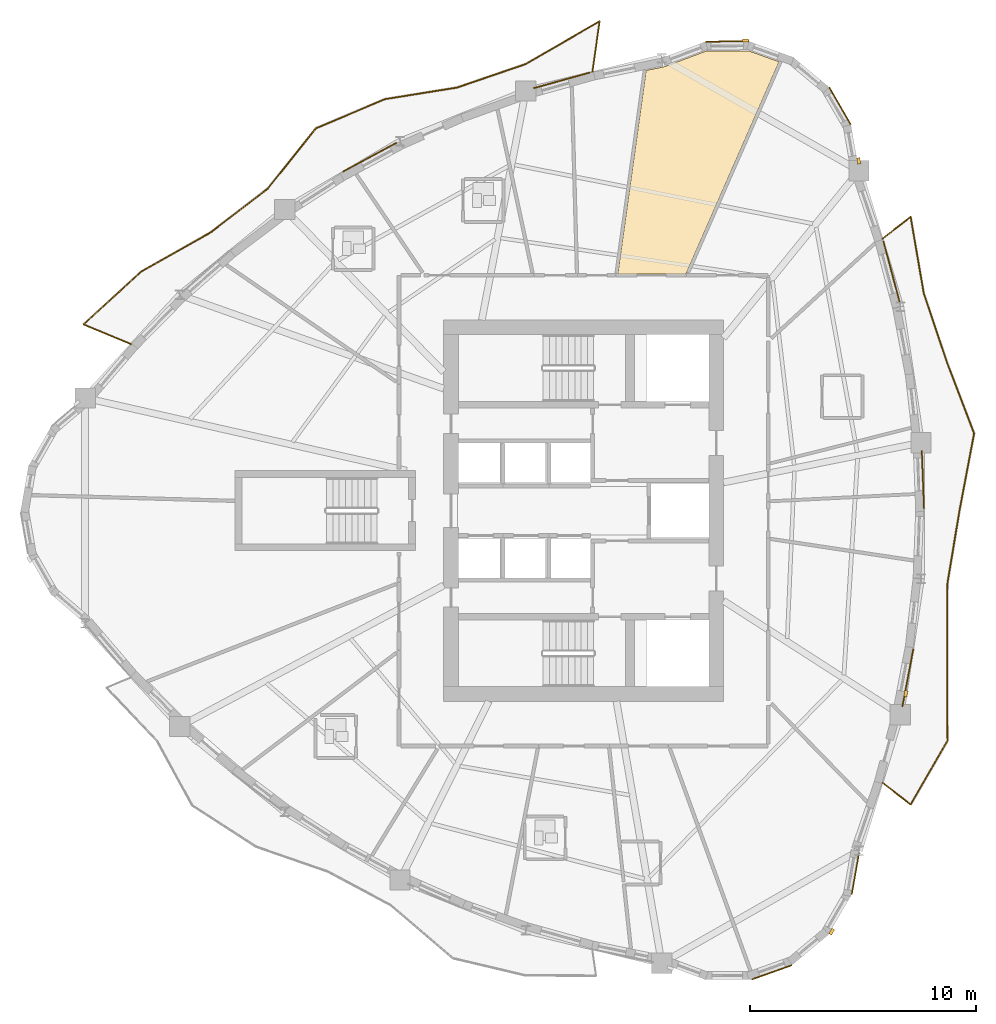
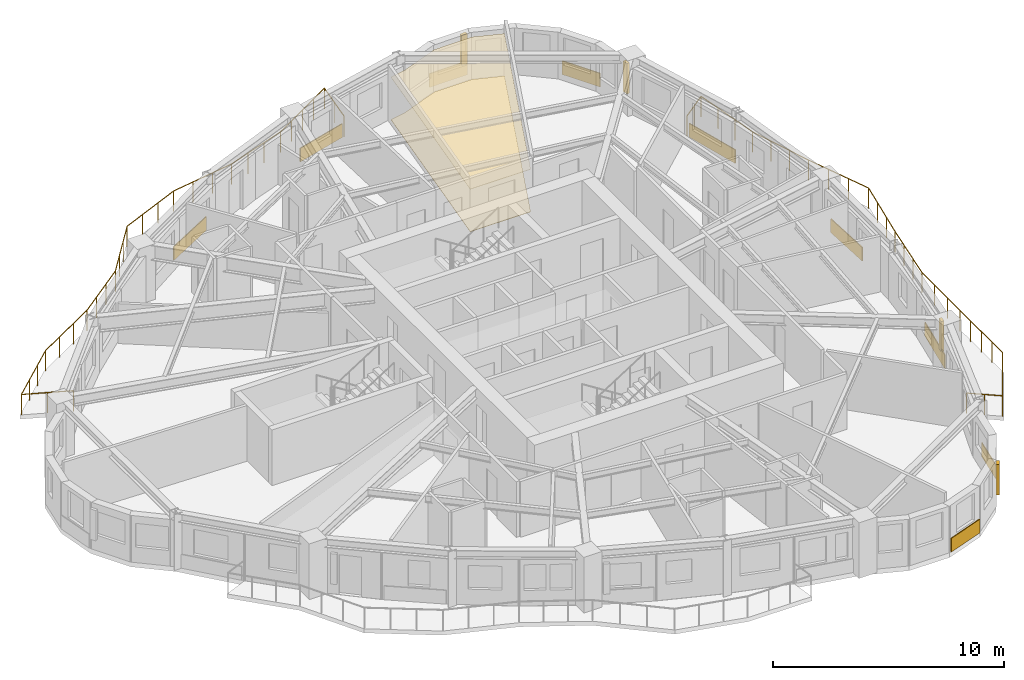
# One storey, part 11 of 12: 11 coverings, 4 shading devices, 2 railings.
"""IFC4 building model written with IfcOpenShell, lengths in metres."""

import ifcopenshell
import ifcopenshell.guid

model = None  # the IFC model being written
_history = None  # IfcOwnerHistory: only IFC2X3 demands one
_inside = {}  # id of a spatial element -> (the spatial element, [elements in it])
_under = {}  # id of a project, library or spatial element -> (it, [spatial elements below it])
_declared = {}  # id of a project -> (the project, [libraries it declares])
_typed = {}  # id of a type object -> (the type object, [elements of that type])
_made_of = {}  # id of a material, layer set ... -> (it, [elements and type objects made of it])


def new_model(schema):
    """Start an empty IFC model of exactly this schema.

    Asked for "IFC4X3", IfcOpenShell would pick the latest addendum, in which some entities
    have other attributes; the version numbers below select the first issue.
    IFC2X3 requires an IfcOwnerHistory on every rooted entity: one is made here for all.
    """
    global model, _history
    if schema == "IFC4X3":
        model = ifcopenshell.file(schema_version=(4, 3, 0, 0))
    else:
        model = ifcopenshell.file(schema=schema)
    _inside.clear()
    _under.clear()
    _declared.clear()
    _typed.clear()
    _made_of.clear()
    _history = None
    if model.schema == "IFC2X3":
        org = make("IfcOrganization", Name="unknown")
        user = make(
            "IfcPersonAndOrganization",
            ThePerson=make("IfcPerson", FamilyName="unknown"),
            TheOrganization=org,
        )
        app = make(
            "IfcApplication",
            ApplicationDeveloper=org,
            Version="unknown",
            ApplicationFullName="unknown",
            ApplicationIdentifier="unknown",
        )
        _history = make(
            "IfcOwnerHistory",
            OwningUser=user,
            OwningApplication=app,
            ChangeAction="ADDED",
            CreationDate=0,
        )
    return model


def make(cls, **values):
    """One entity of the class cls with the attributes given. An attribute that is None is left unset."""
    return model.create_entity(
        cls, **{name: value for name, value in values.items() if value is not None}
    )


def rooted(cls, **values):
    """An entity with a GlobalId (a new one), such as an element, a storey or a relation."""
    return make(cls, GlobalId=ifcopenshell.guid.new(), OwnerHistory=_history, **values)


def si_unit(unit_type, name, prefix=None):
    """IfcSIUnit, for example si_unit("LENGTHUNIT", "METRE", prefix="MILLI")."""
    return make("IfcSIUnit", UnitType=unit_type, Prefix=prefix, Name=name)


def assignment(units):
    """IfcUnitAssignment: the units of a project."""
    return None if units is None else make("IfcUnitAssignment", Units=units)


def point(xyz):
    """IfcCartesianPoint."""
    return None if xyz is None else make("IfcCartesianPoint", Coordinates=xyz)


def direction(xyz):
    """IfcDirection."""
    return None if xyz is None else make("IfcDirection", DirectionRatios=xyz)


def frame(location, z_axis=None, x_axis=None):
    """IfcAxis2Placement3D, a coordinate frame: its origin and axes. An axis left out is left unset."""
    return make(
        "IfcAxis2Placement3D",
        Location=point(location),
        Axis=direction(z_axis),
        RefDirection=direction(x_axis),
    )


def frame_2d(location, x_axis=None):
    """IfcAxis2Placement2D, a coordinate frame in the plane: its origin and x axis."""
    return make(
        "IfcAxis2Placement2D", Location=point(location), RefDirection=direction(x_axis)
    )


def origin():
    """The frame at (0, 0, 0) with its axes left unset."""
    return frame((0.0, 0.0, 0.0))


def origin_2d():
    """The frame at (0, 0) in the plane with its x axis left unset."""
    return frame_2d((0.0, 0.0))


def place(relative_to, where):
    """IfcLocalPlacement: puts the frame where relative to a parent placement (None: the world)."""
    return make(
        "IfcLocalPlacement", PlacementRelTo=relative_to, RelativePlacement=where
    )


def context(
    kind, dimensions, precision=None, world=None, true_north=None, identifier=None
):
    """IfcGeometricRepresentationContext, for example the 3D "Model" context."""
    return make(
        "IfcGeometricRepresentationContext",
        ContextIdentifier=identifier,
        ContextType=kind,
        CoordinateSpaceDimension=dimensions,
        Precision=precision,
        WorldCoordinateSystem=world,
        TrueNorth=true_north,
    )


def subcontext(parent, identifier, kind, view, scale=None):
    """IfcGeometricRepresentationSubContext, for example "Body" below "Model"."""
    return make(
        "IfcGeometricRepresentationSubContext",
        ContextIdentifier=identifier,
        ContextType=kind,
        ParentContext=parent,
        TargetScale=scale,
        TargetView=view,
    )


def project(units=None, contexts=None):
    """IfcProject with its units and contexts."""
    return rooted(
        "IfcProject",
        Name="project",
        RepresentationContexts=contexts,
        UnitsInContext=assignment(units),
    )


def spatial(cls, under=None, at=None, **own):
    """A site, building, storey or space (cls), placed at a placement, below another one or the project."""
    s = rooted(cls, ObjectPlacement=at, **own)
    if under is not None:
        _under.setdefault(under.id(), (under, []))[1].append(s)
    return s


def polyline(points):
    """IfcPolyline through the points."""
    return make("IfcPolyline", Points=[point(p) for p in points])


def profile(cls, at=None, kind="AREA", **sizes):
    """A parametric profile (cls). Its sizes go by their IFC names, for example OverallWidth=200.0."""
    return make(cls, ProfileType=kind, Position=at, **sizes)


def rectangle(**sizes):
    """IfcRectangleProfileDef."""
    return profile("IfcRectangleProfileDef", **sizes)


def circle(**sizes):
    """IfcCircleProfileDef."""
    return profile("IfcCircleProfileDef", **sizes)


def outline(outer, holes=None, kind="AREA"):
    """IfcArbitraryClosedProfileDef: a profile drawn as a closed curve; with holes, ...WithVoids."""
    if holes is None:
        return make("IfcArbitraryClosedProfileDef", ProfileType=kind, OuterCurve=outer)
    return make(
        "IfcArbitraryProfileDefWithVoids",
        ProfileType=kind,
        OuterCurve=outer,
        InnerCurves=holes,
    )


def extrude(swept, where, along, depth):
    """IfcExtrudedAreaSolid: the profile swept, set in the frame where, extruded along a direction by depth."""
    return make(
        "IfcExtrudedAreaSolid",
        SweptArea=swept,
        Position=where,
        ExtrudedDirection=direction(along),
        Depth=depth,
    )


def shape(context_of_items, identifier, shape_type, items):
    """IfcShapeRepresentation: the items that make up one representation, for example the "Body"."""
    return make(
        "IfcShapeRepresentation",
        ContextOfItems=context_of_items,
        RepresentationIdentifier=identifier,
        RepresentationType=shape_type,
        Items=items,
    )


def source(mapping_origin, context_of_items, identifier, shape_type, items):
    """IfcRepresentationMap: a shape defined once, which mapped items show again and again."""
    return make(
        "IfcRepresentationMap",
        MappingOrigin=mapping_origin,
        MappedRepresentation=shape(context_of_items, identifier, shape_type, items),
    )


def transform(
    local_origin,
    x_axis=None,
    y_axis=None,
    z_axis=None,
    scale=None,
    scale2=None,
    scale3=None,
    uniform=True,
):
    """IfcCartesianTransformationOperator3D, or its non-uniform kind. x_axis, y_axis, z_axis: its Axis1, 2, 3."""
    if uniform:
        return make(
            "IfcCartesianTransformationOperator3D",
            Axis1=direction(x_axis),
            Axis2=direction(y_axis),
            LocalOrigin=point(local_origin),
            Scale=scale,
            Axis3=direction(z_axis),
        )
    return make(
        "IfcCartesianTransformationOperator3DnonUniform",
        Axis1=direction(x_axis),
        Axis2=direction(y_axis),
        LocalOrigin=point(local_origin),
        Scale=scale,
        Axis3=direction(z_axis),
        Scale2=scale2,
        Scale3=scale3,
    )


def mapped(mapping_source, mapping_target):
    """IfcMappedItem: shows the shape of a source again, moved by a transform."""
    return make(
        "IfcMappedItem", MappingSource=mapping_source, MappingTarget=mapping_target
    )


def material(Name=None, Category=None):
    """IfcMaterial."""
    return make("IfcMaterial", Name=Name, Category=Category)


def layer(
    of_material, thickness, ventilated=None, Name=None, Category=None, Priority=None
):
    """IfcMaterialLayer: one layer of a wall or slab, of a material (None: an air gap)."""
    return make(
        "IfcMaterialLayer",
        Material=of_material,
        LayerThickness=thickness,
        IsVentilated=ventilated,
        Name=Name,
        Category=Category,
        Priority=Priority,
    )


def layer_set(layers, Name=None):
    """IfcMaterialLayerSet."""
    return make("IfcMaterialLayerSet", MaterialLayers=layers, LayerSetName=Name)


def made_of(thing, what):
    """Note that an element or type object is made of a material, layer set ...; save() writes the relation."""
    if what is not None:
        _made_of.setdefault(what.id(), (what, []))[1].append(thing)
    return thing


def type_object(cls, material=None, **own):
    """A type object (cls), such as IfcWallType, which elements share."""
    return made_of(rooted(cls, **own), material)


def element(
    cls,
    number,
    at=None,
    inside=None,
    cuts=None,
    type_object=None,
    material=None,
    context=None,
    identifier="Body",
    shape_type=None,
    held_by="IfcProductDefinitionShape",
    body=None,
    shapes=None,
    **own,
):
    """One element of the class cls, such as IfcWall. Its Tag is "e" and its number.

    at: its placement. inside: the storey or other place that contains it. cuts: it is an
    opening in that element (IfcRelVoidsElement). A single representation is given by context,
    identifier, shape_type and body (its items); several are given by shapes. held_by: the class
    of the entity that holds the representations. save() writes the other relations.
    """
    e = rooted(cls, Tag="e%d" % number, ObjectPlacement=at, **own)
    if body is not None:
        shapes = [shape(context, identifier, shape_type, body)]
    if shapes is not None:
        e.Representation = make(held_by, Representations=shapes)
    if inside is not None:
        _inside.setdefault(inside.id(), (inside, []))[1].append(e)
    if cuts is not None:
        rooted(
            "IfcRelVoidsElement", RelatingBuildingElement=cuts, RelatedOpeningElement=e
        )
    if type_object is not None:
        _typed.setdefault(type_object.id(), (type_object, []))[1].append(e)
    return made_of(e, material)


def aggregate(whole, parts):
    """IfcRelAggregates: a whole, such as a stair, and the parts it consists of."""
    return rooted("IfcRelAggregates", RelatingObject=whole, RelatedObjects=parts)


def save(model, path):
    """Write the relations noted so far, then the file.

    IfcRelAggregates (storeys below a building ...), IfcRelContainedInSpatialStructure (elements
    in a storey), IfcRelDefinesByType, IfcRelAssociatesMaterial and IfcRelDeclares: one each for
    every whole, place, type object, material and project.
    """
    for whole, parts in _under.values():
        aggregate(whole, parts)
    for where, things in _inside.values():
        rooted(
            "IfcRelContainedInSpatialStructure",
            RelatedElements=things,
            RelatingStructure=where,
        )
    for kind, things in _typed.values():
        rooted("IfcRelDefinesByType", RelatedObjects=things, RelatingType=kind)
    for what, things in _made_of.values():
        rooted("IfcRelAssociatesMaterial", RelatedObjects=things, RelatingMaterial=what)
    for by, libraries in _declared.values():
        rooted("IfcRelDeclares", RelatingContext=by, RelatedDefinitions=libraries)
    model.write(path)


model = new_model("IFC4")

# Units and contexts
model_context = context("Model", 3, precision=1e-05, world=origin(), true_north=direction((0.0, 1.0)))
body_context = subcontext(model_context, "Body", "Model", "MODEL_VIEW")
ifc_project = project(units=[si_unit("LENGTHUNIT", "METRE"), si_unit("AREAUNIT", "SQUARE_METRE"), si_unit("VOLUMEUNIT", "CUBIC_METRE"), si_unit("PLANEANGLEUNIT", "RADIAN"), si_unit("MASSUNIT", "GRAM", prefix="KILO")], contexts=[model_context])

# Site, building, storey
site_placement = place(None, origin())
site = spatial("IfcSite", under=ifc_project, at=site_placement, CompositionType="ELEMENT")
building_placement = place(site_placement, origin())
building = spatial("IfcBuilding", under=site, at=building_placement, Name="Qafzar Sky-Pleat Residences", CompositionType="ELEMENT")
storey_placement = place(building_placement, frame((0.0, 0.0, 76.800048828125)))
storey = spatial("IfcBuildingStorey", under=building, at=storey_placement, Name="L22", CompositionType="ELEMENT", Elevation=76.800048828125)

# Coverings
ifc_material_1 = material(Name="Perforated acoustic gypsum board ceiling")
ifc_layer_1 = layer(ifc_material_1, 0.02001953125)
ifc_layer_set_1 = layer_set([ifc_layer_1], Name="Perforated acoustic gypsum board ceiling")
covering_type_1 = type_object("IfcCoveringType", Name="COV-CEIL-ACOUSTIC", PredefinedType="CEILING", material=ifc_layer_set_1)
covering_1_placement = place(storey_placement, frame((0.0, 0.0, 2.239990234375)))
element("IfcCovering", 1, at=covering_1_placement, inside=storey, type_object=covering_type_1, Name="L22 Co-Living Lounge Acoustic Ceiling", PredefinedType="CEILING", context=body_context, shape_type="SweptSolid", body=[
    extrude(outline(polyline([(33.925537109375, 45.677734375), (35.783203125, 46.371337890625), (37.66455078125, 46.38427734375), (39.015380859375, 45.900634765625), (34.88671875, 36.489990234375), (31.869140625, 36.489990234375), (33.123779296875, 45.5126953125), (33.925537109375, 45.677734375)])), origin(), (0.0, 0.0, 1.0), 0.02001953125),
])
ifc_material_2 = material(Name="Honed porcelain and Riyadh stone tile flooring", Category="masonry")
ifc_layer_2 = layer(ifc_material_2, 0.02001953125)
ifc_layer_set_2 = layer_set([ifc_layer_2], Name="Honed porcelain and Riyadh stone tile flooring")
covering_type_2 = type_object("IfcCoveringType", Name="COV-FLR-PORCELAIN", PredefinedType="FLOORING", material=ifc_layer_set_2)
covering_2_placement = place(storey_placement, origin())
element("IfcCovering", 2, at=covering_2_placement, inside=storey, type_object=covering_type_2, Name="L22 Co-Living Lounge Honed Stone Flooring", PredefinedType="FLOORING", context=body_context, shape_type="SweptSolid", body=[
    extrude(outline(polyline([(33.925537109375, 45.677734375), (35.783203125, 46.371337890625), (37.66455078125, 46.38427734375), (39.015380859375, 45.900634765625), (34.88671875, 36.489990234375), (31.869140625, 36.489990234375), (33.123779296875, 45.5126953125), (33.925537109375, 45.677734375)])), origin(), (0.0, 0.0, 1.0), 0.02001953125),
])

# Shading devices
ifc_material_3 = material(Name="Honed Riyadh limestone solar fin", Category="masonry")
ifc_layer_3 = layer(ifc_material_3, 0.139892578125)
ifc_layer_set_3 = layer_set([ifc_layer_3], Name="Honed Riyadh limestone solar fin")
shading_device_type = type_object("IfcShadingDeviceType", Name="SHD-FIN-STONE", PredefinedType="SHUTTER", material=ifc_layer_set_3)
shared_shape_1 = source(origin(), body_context, "Body", "SweptSolid", [
    extrude(rectangle(XDim=0.139892578125, YDim=0.280029296875, at=origin_2d()), origin(), (0.0, 0.0, 1.0), 1.60009765625),
])
for number, where, z_axis, x_axis, name in (
    (3, (41.351806640625, 7.337646484375, 0.599853515625), (0.0, 0.0, 1.0), (0.86489556585, -0.501951850453, 0.0), "L22 Limestone Solar Fin 21"),
    (4, (44.63427734375, 17.88623046875, 0.599853515625), (0.0, 0.0, 1.0), (0.982421223161, -0.186677637342, 0.0), "L22 Limestone Solar Fin 25"),
    (5, (42.54833984375, 41.50439453125, 0.599853515625), (0.0, 0.0, 1.0), (0.984675881773, 0.174394403163, 0.0), "L22 Limestone Solar Fin 33"),
    (6, (37.525634765625, 46.848388671875, 0.599853515625), (0.0, 0.0, 1.0), (-0.006821730637, 0.999976731725, 0.0), "L22 Limestone Solar Fin 37"),
):
    element("IfcShadingDevice", number, at=place(storey_placement, frame(where, z_axis=z_axis, x_axis=x_axis)), inside=storey, type_object=shading_device_type, Name=name, PredefinedType="SHUTTER", context=body_context, shape_type="MappedRepresentation", body=[
        mapped(shared_shape_1, transform((0.0, 0.0, 0.0), x_axis=(1.0, 0.0, 0.0), y_axis=(0.0, 1.0, 0.0), z_axis=(0.0, 0.0, 1.0), scale=1.0)),
    ])

# Railings
ifc_material_4 = material(Name="Laminated glass and bronze steel balustrade", Category="steel")
railing_type = type_object("IfcRailingType", Name="RAIL-BAL-1100", PredefinedType="BALUSTRADE", material=ifc_material_4)
shared_shape_2 = source(origin(), body_context, "Body", "SweptSolid", [
    extrude(circle(Radius=0.02392578125, at=origin_2d()), frame((0.0, 0.0, 1.076171875), z_axis=(0.791131848435, -0.611645647734, 0.0), x_axis=(0.611645647734, 0.791131848435, 0.0)), (0.0, 0.0, 1.0), 1.577880859375),
    extrude(circle(Radius=0.02392578125, at=origin_2d()), frame((1.248291015625, -0.965087890625, 1.076171875), z_axis=(0.500441754194, 0.865770206614, 0.0), x_axis=(-0.865770206614, 0.500441754194, 0.0)), (0.0, 0.0, 1.0), 3.2705078125),
    extrude(circle(Radius=0.02392578125, at=origin_2d()), frame((2.885009765625, 1.866455078125, 1.076171875), z_axis=(-0.006110959696, 0.999981327911, 0.0), x_axis=(-0.999981327911, -0.006110959696, 0.0)), (0.0, 0.0, 1.0), 3.635498046875),
    extrude(circle(Radius=0.02392578125, at=origin_2d()), frame((2.86279296875, 5.501953125, 1.076171875), z_axis=(0.005333841997, 0.999985774964, 0.0), x_axis=(-0.999985774964, 0.005333841997, 0.0)), (0.0, 0.0, 1.0), 3.34130859375),
    extrude(circle(Radius=0.02392578125, at=origin_2d()), frame((2.880615234375, 8.84326171875, 1.076171875), z_axis=(0.163124173712, 0.98660554628, 0.0), x_axis=(-0.98660554628, 0.163124173712, 0.0)), (0.0, 0.0, 1.0), 3.26123046875),
    extrude(circle(Radius=0.02392578125, at=origin_2d()), frame((3.41259765625, 12.060791015625, 1.076171875), z_axis=(0.186580850105, 0.98243960953, 0.0), x_axis=(-0.98243960953, 0.186580850105, 0.0)), (0.0, 0.0, 1.0), 3.484619140625),
    extrude(circle(Radius=0.02392578125, at=origin_2d()), frame((4.062744140625, 15.484130859375, 1.076171875), z_axis=(-0.357419219766, 0.933944056859, 0.0), x_axis=(-0.933944056859, -0.357419219766, 0.0)), (0.0, 0.0, 1.0), 3.357177734375),
    extrude(circle(Radius=0.02392578125, at=origin_2d()), frame((2.86279296875, 18.61962890625, 1.076171875), z_axis=(-0.319065686008, 0.947732603645, 0.0), x_axis=(-0.947732603645, -0.319065686008, 0.0)), (0.0, 0.0, 1.0), 3.224365234375),
    extrude(circle(Radius=0.02392578125, at=origin_2d()), frame((1.833984375, 21.675537109375, 1.076171875), z_axis=(-0.16922420673, 0.985577580841, 0.0), x_axis=(-0.985577580841, -0.16922420673, 0.0)), (0.0, 0.0, 1.0), 3.4609375),
    extrude(circle(Radius=0.02392578125, at=origin_2d()), frame((1.248291015625, 25.086669921875, 1.076171875), z_axis=(-0.791131848435, -0.611645647734, 0.0), x_axis=(0.611645647734, -0.791131848435, 0.0)), (0.0, 0.0, 1.0), 1.577880859375),
    extrude(circle(Radius=0.02099609375, at=origin_2d()), origin(), (0.0, 0.0, 1.0), 1.052001953125),
    extrude(circle(Radius=0.02099609375, at=origin_2d()), frame((0.6240234375, -0.482421875, 0.0)), (0.0, 0.0, 1.0), 1.052001953125),
    extrude(circle(Radius=0.02099609375, at=origin_2d()), frame((1.248291015625, -0.965087890625, 0.0)), (0.0, 0.0, 1.0), 1.052001953125),
    extrude(circle(Radius=0.02099609375, at=origin_2d()), frame((1.7939453125, -0.021240234375, 0.0)), (0.0, 0.0, 1.0), 1.052001953125),
    extrude(circle(Radius=0.02099609375, at=origin_2d()), frame((2.33935546875, 0.922607421875, 0.0)), (0.0, 0.0, 1.0), 1.052001953125),
    extrude(circle(Radius=0.02099609375, at=origin_2d()), frame((2.885009765625, 1.866455078125, 0.0)), (0.0, 0.0, 1.0), 1.052001953125),
    extrude(circle(Radius=0.02099609375, at=origin_2d()), frame((2.87939453125, 2.775390625, 0.0)), (0.0, 0.0, 1.0), 1.052001953125),
    extrude(circle(Radius=0.02099609375, at=origin_2d()), frame((2.8740234375, 3.68408203125, 0.0)), (0.0, 0.0, 1.0), 1.052001953125),
    extrude(circle(Radius=0.02099609375, at=origin_2d()), frame((2.868408203125, 4.593017578125, 0.0)), (0.0, 0.0, 1.0), 1.052001953125),
    extrude(circle(Radius=0.02099609375, at=origin_2d()), frame((2.86279296875, 5.501953125, 0.0)), (0.0, 0.0, 1.0), 1.052001953125),
    extrude(circle(Radius=0.02099609375, at=origin_2d()), frame((2.86865234375, 6.61572265625, 0.0)), (0.0, 0.0, 1.0), 1.052001953125),
    extrude(circle(Radius=0.02099609375, at=origin_2d()), frame((2.874755859375, 7.7294921875, 0.0)), (0.0, 0.0, 1.0), 1.052001953125),
    extrude(circle(Radius=0.02099609375, at=origin_2d()), frame((2.880615234375, 8.84326171875, 0.0)), (0.0, 0.0, 1.0), 1.052001953125),
    extrude(circle(Radius=0.02099609375, at=origin_2d()), frame((3.057861328125, 9.915771484375, 0.0)), (0.0, 0.0, 1.0), 1.052001953125),
    extrude(circle(Radius=0.02099609375, at=origin_2d()), frame((3.2353515625, 10.98828125, 0.0)), (0.0, 0.0, 1.0), 1.052001953125),
    extrude(circle(Radius=0.02099609375, at=origin_2d()), frame((3.41259765625, 12.060791015625, 0.0)), (0.0, 0.0, 1.0), 1.052001953125),
    extrude(circle(Radius=0.02099609375, at=origin_2d()), frame((3.62939453125, 13.201904296875, 0.0)), (0.0, 0.0, 1.0), 1.052001953125),
    extrude(circle(Radius=0.02099609375, at=origin_2d()), frame((3.845947265625, 14.343017578125, 0.0)), (0.0, 0.0, 1.0), 1.052001953125),
    extrude(circle(Radius=0.02099609375, at=origin_2d()), frame((4.062744140625, 15.484130859375, 0.0)), (0.0, 0.0, 1.0), 1.052001953125),
    extrude(circle(Radius=0.02099609375, at=origin_2d()), frame((3.662841796875, 16.529296875, 0.0)), (0.0, 0.0, 1.0), 1.052001953125),
    extrude(circle(Radius=0.02099609375, at=origin_2d()), frame((3.2626953125, 17.574462890625, 0.0)), (0.0, 0.0, 1.0), 1.052001953125),
    extrude(circle(Radius=0.02099609375, at=origin_2d()), frame((2.86279296875, 18.61962890625, 0.0)), (0.0, 0.0, 1.0), 1.052001953125),
    extrude(circle(Radius=0.02099609375, at=origin_2d()), frame((2.519775390625, 19.63818359375, 0.0)), (0.0, 0.0, 1.0), 1.052001953125),
    extrude(circle(Radius=0.02099609375, at=origin_2d()), frame((2.177001953125, 20.656982421875, 0.0)), (0.0, 0.0, 1.0), 1.052001953125),
    extrude(circle(Radius=0.02099609375, at=origin_2d()), frame((1.833984375, 21.675537109375, 0.0)), (0.0, 0.0, 1.0), 1.052001953125),
    extrude(circle(Radius=0.02099609375, at=origin_2d()), frame((1.638671875, 22.8125, 0.0)), (0.0, 0.0, 1.0), 1.052001953125),
    extrude(circle(Radius=0.02099609375, at=origin_2d()), frame((1.443603515625, 23.94970703125, 0.0)), (0.0, 0.0, 1.0), 1.052001953125),
    extrude(circle(Radius=0.02099609375, at=origin_2d()), frame((1.248291015625, 25.086669921875, 0.0)), (0.0, 0.0, 1.0), 1.052001953125),
    extrude(circle(Radius=0.02099609375, at=origin_2d()), frame((0.6240234375, 24.60400390625, 0.0)), (0.0, 0.0, 1.0), 1.052001953125),
    extrude(circle(Radius=0.02099609375, at=origin_2d()), frame((0.0, 24.12158203125, 0.0)), (0.0, 0.0, 1.0), 1.052001953125),
])
railing_1_placement = place(storey_placement, frame((43.60009765625, 13.939208984375, 0.0)))
element("IfcRailing", 7, at=railing_1_placement, inside=storey, type_object=railing_type, Name="L22 Pleated Balcony 1 Balustrade", PredefinedType="BALUSTRADE", context=body_context, shape_type="MappedRepresentation", body=[
    mapped(shared_shape_2, transform((0.0, 0.0, 0.0), x_axis=(1.0, 0.0, 0.0), y_axis=(0.0, 1.0, 0.0), z_axis=(0.0, 0.0, 1.0), scale=1.0)),
])
shared_shape_3 = source(origin(), body_context, "Body", "SweptSolid", [
    extrude(circle(Radius=0.02392578125, at=origin_2d()), frame((0.0, 0.0, 1.076171875), z_axis=(0.139765475122, 0.99018463529, 0.0), x_axis=(-0.99018463529, 0.139765475122, 0.0)), (0.0, 0.0, 1.0), 2.270751953125),
    extrude(circle(Radius=0.02392578125, at=origin_2d()), frame((0.3173828125, 2.24853515625, 1.076171875), z_axis=(-0.866210203027, -0.499679781632, 0.0), x_axis=(0.499679781632, -0.866210203027, 0.0)), (0.0, 0.0, 1.0), 3.79736328125),
    extrude(circle(Radius=0.02392578125, at=origin_2d()), frame((-2.971923828125, 0.35107421875, 1.076171875), z_axis=(-0.94604605287, -0.324032198785, 0.0), x_axis=(0.324032198785, -0.94604605287, 0.0)), (0.0, 0.0, 1.0), 3.205078125),
    extrude(circle(Radius=0.02392578125, at=origin_2d()), frame((-6.004150390625, -0.6875, 1.076171875), z_axis=(-0.987375407196, -0.15839761761, 0.0), x_axis=(0.15839761761, -0.987375407196, 0.0)), (0.0, 0.0, 1.0), 3.2275390625),
    extrude(circle(Radius=0.02392578125, at=origin_2d()), frame((-9.19091796875, -1.19873046875, 1.076171875), z_axis=(-0.9212553998, -0.388958208988, 0.0), x_axis=(0.388958208988, -0.9212553998, 0.0)), (0.0, 0.0, 1.0), 3.329833984375),
    extrude(circle(Radius=0.02392578125, at=origin_2d()), frame((-12.258544921875, -2.493896484375, 1.076171875), z_axis=(-0.623963443988, -0.781453530651, 0.0), x_axis=(0.781453530651, -0.623963443988, 0.0)), (0.0, 0.0, 1.0), 3.419677734375),
    extrude(circle(Radius=0.02392578125, at=origin_2d()), frame((-14.392333984375, -5.166259765625, 1.076171875), z_axis=(-0.793631020152, -0.608399378576, 0.0), x_axis=(0.608399378576, -0.793631020152, 0.0)), (0.0, 0.0, 1.0), 3.18701171875),
    extrude(circle(Radius=0.02392578125, at=origin_2d()), frame((-16.921630859375, -7.105224609375, 1.076171875), z_axis=(-0.870867386328, -0.491518051988, 0.0), x_axis=(0.491518051988, -0.870867386328, 0.0)), (0.0, 0.0, 1.0), 3.521728515625),
    extrude(circle(Radius=0.02392578125, at=origin_2d()), frame((-19.988525390625, -8.836181640625, 1.076171875), z_axis=(-0.73749173285, -0.675356160835, 0.0), x_axis=(0.675356160835, -0.73749173285, 0.0)), (0.0, 0.0, 1.0), 3.481201171875),
    extrude(circle(Radius=0.02392578125, at=origin_2d()), frame((-22.555908203125, -11.187255859375, 1.076171875), z_axis=(0.923057837801, -0.384661186076, 0.0), x_axis=(0.384661186076, 0.923057837801, 0.0)), (0.0, 0.0, 1.0), 2.27099609375),
    extrude(circle(Radius=0.02099609375, at=origin_2d()), origin(), (0.0, 0.0, 1.0), 1.052001953125),
    extrude(circle(Radius=0.02099609375, at=origin_2d()), frame((0.15869140625, 1.124267578125, 0.0)), (0.0, 0.0, 1.0), 1.052001953125),
    extrude(circle(Radius=0.02099609375, at=origin_2d()), frame((0.3173828125, 2.24853515625, 0.0)), (0.0, 0.0, 1.0), 1.052001953125),
    extrude(circle(Radius=0.02099609375, at=origin_2d()), frame((-0.5048828125, 1.774169921875, 0.0)), (0.0, 0.0, 1.0), 1.052001953125),
    extrude(circle(Radius=0.02099609375, at=origin_2d()), frame((-1.3271484375, 1.2998046875, 0.0)), (0.0, 0.0, 1.0), 1.052001953125),
    extrude(circle(Radius=0.02099609375, at=origin_2d()), frame((-2.149658203125, 0.825439453125, 0.0)), (0.0, 0.0, 1.0), 1.052001953125),
    extrude(circle(Radius=0.02099609375, at=origin_2d()), frame((-2.971923828125, 0.35107421875, 0.0)), (0.0, 0.0, 1.0), 1.052001953125),
    extrude(circle(Radius=0.02099609375, at=origin_2d()), frame((-3.982666015625, 0.0048828125, 0.0)), (0.0, 0.0, 1.0), 1.052001953125),
    extrude(circle(Radius=0.02099609375, at=origin_2d()), frame((-4.993408203125, -0.34130859375, 0.0)), (0.0, 0.0, 1.0), 1.052001953125),
    extrude(circle(Radius=0.02099609375, at=origin_2d()), frame((-6.004150390625, -0.6875, 0.0)), (0.0, 0.0, 1.0), 1.052001953125),
    extrude(circle(Radius=0.02099609375, at=origin_2d()), frame((-7.06640625, -0.85791015625, 0.0)), (0.0, 0.0, 1.0), 1.052001953125),
    extrude(circle(Radius=0.02099609375, at=origin_2d()), frame((-8.128662109375, -1.0283203125, 0.0)), (0.0, 0.0, 1.0), 1.052001953125),
    extrude(circle(Radius=0.02099609375, at=origin_2d()), frame((-9.19091796875, -1.19873046875, 0.0)), (0.0, 0.0, 1.0), 1.052001953125),
    extrude(circle(Radius=0.02099609375, at=origin_2d()), frame((-10.21337890625, -1.63037109375, 0.0)), (0.0, 0.0, 1.0), 1.052001953125),
    extrude(circle(Radius=0.02099609375, at=origin_2d()), frame((-11.236083984375, -2.062255859375, 0.0)), (0.0, 0.0, 1.0), 1.052001953125),
    extrude(circle(Radius=0.02099609375, at=origin_2d()), frame((-12.258544921875, -2.493896484375, 0.0)), (0.0, 0.0, 1.0), 1.052001953125),
    extrude(circle(Radius=0.02099609375, at=origin_2d()), frame((-12.9697265625, -3.384765625, 0.0)), (0.0, 0.0, 1.0), 1.052001953125),
    extrude(circle(Radius=0.02099609375, at=origin_2d()), frame((-13.68115234375, -4.275390625, 0.0)), (0.0, 0.0, 1.0), 1.052001953125),
    extrude(circle(Radius=0.02099609375, at=origin_2d()), frame((-14.392333984375, -5.166259765625, 0.0)), (0.0, 0.0, 1.0), 1.052001953125),
    extrude(circle(Radius=0.02099609375, at=origin_2d()), frame((-15.2353515625, -5.8125, 0.0)), (0.0, 0.0, 1.0), 1.052001953125),
    extrude(circle(Radius=0.02099609375, at=origin_2d()), frame((-16.07861328125, -6.458984375, 0.0)), (0.0, 0.0, 1.0), 1.052001953125),
    extrude(circle(Radius=0.02099609375, at=origin_2d()), frame((-16.921630859375, -7.105224609375, 0.0)), (0.0, 0.0, 1.0), 1.052001953125),
    extrude(circle(Radius=0.02099609375, at=origin_2d()), frame((-17.94384765625, -7.68212890625, 0.0)), (0.0, 0.0, 1.0), 1.052001953125),
    extrude(circle(Radius=0.02099609375, at=origin_2d()), frame((-18.96630859375, -8.25927734375, 0.0)), (0.0, 0.0, 1.0), 1.052001953125),
    extrude(circle(Radius=0.02099609375, at=origin_2d()), frame((-19.988525390625, -8.836181640625, 0.0)), (0.0, 0.0, 1.0), 1.052001953125),
    extrude(circle(Radius=0.02099609375, at=origin_2d()), frame((-20.84423828125, -9.619873046875, 0.0)), (0.0, 0.0, 1.0), 1.052001953125),
    extrude(circle(Radius=0.02099609375, at=origin_2d()), frame((-21.7001953125, -10.403564453125, 0.0)), (0.0, 0.0, 1.0), 1.052001953125),
    extrude(circle(Radius=0.02099609375, at=origin_2d()), frame((-22.555908203125, -11.187255859375, 0.0)), (0.0, 0.0, 1.0), 1.052001953125),
    extrude(circle(Radius=0.02099609375, at=origin_2d()), frame((-21.5078125, -11.6240234375, 0.0)), (0.0, 0.0, 1.0), 1.052001953125),
    extrude(circle(Radius=0.02099609375, at=origin_2d()), frame((-20.459716796875, -12.060791015625, 0.0)), (0.0, 0.0, 1.0), 1.052001953125),
])
railing_2_placement = place(storey_placement, frame((30.7451171875, 45.442626953125, 0.0)))
element("IfcRailing", 8, at=railing_2_placement, inside=storey, type_object=railing_type, Name="L22 Pleated Balcony 2 Balustrade", PredefinedType="BALUSTRADE", context=body_context, shape_type="MappedRepresentation", body=[
    mapped(shared_shape_3, transform((0.0, 0.0, 0.0), x_axis=(1.0, 0.0, 0.0), y_axis=(0.0, 1.0, 0.0), z_axis=(0.0, 0.0, 1.0), scale=1.0)),
])

# Coverings
ifc_material_5 = material(Name="Honed Riyadh Tuwaiq limestone cladding", Category="masonry")
ifc_layer_4 = layer(ifc_material_5, 0.044921875)
ifc_layer_set_4 = layer_set([ifc_layer_4], Name="Honed Riyadh Tuwaiq limestone cladding")
covering_type_3 = type_object("IfcCoveringType", Name="COV-CLAD-STONE", PredefinedType="CLADDING", material=ifc_layer_set_4)
shared_shape_4 = source(origin(), body_context, "Body", "SweptSolid", [
    extrude(rectangle(XDim=1.88916015625, YDim=0.044921875, at=origin_2d()), origin(), (0.0, 0.0, 1.0), 0.719970703125),
])
for number, where, z_axis, x_axis, name in (
    (9, (38.6923828125, 5.535400390625, 0.02001953125), (0.0, 0.0, 1.0), (0.941498066035, 0.337018384741, 0.0), "L22 Riyadh Limestone Spandrel Cladding 19"),
    (10, (36.720947265625, 46.7998046875, 0.02001953125), (0.0, 0.0, 1.0), (-0.999976465978, -0.006860575119, 0.0), "L22 Riyadh Limestone Spandrel Cladding 37"),
):
    element("IfcCovering", number, at=place(storey_placement, frame(where, z_axis=z_axis, x_axis=x_axis)), inside=storey, type_object=covering_type_3, Name=name, PredefinedType="CLADDING", context=body_context, shape_type="MappedRepresentation", body=[
        mapped(shared_shape_4, transform((0.0, 0.0, 0.0), x_axis=(1.0, 0.0, 0.0), y_axis=(0.0, 1.0, 0.0), z_axis=(0.0, 0.0, 1.0), scale=1.0)),
    ])
shared_shape_5 = source(origin(), body_context, "Body", "SweptSolid", [
    extrude(rectangle(XDim=1.8369140625, YDim=0.044921875, at=origin_2d()), origin(), (0.0, 0.0, 1.0), 0.719970703125),
])
covering_3_placement = place(storey_placement, frame((42.400146484375, 9.90478515625, 0.02001953125), z_axis=(0.0, 0.0, 1.0), x_axis=(0.174377861823, 0.984678811241, 0.0)))
element("IfcCovering", 11, at=covering_3_placement, inside=storey, type_object=covering_type_3, Name="L22 Riyadh Limestone Spandrel Cladding 22", PredefinedType="CLADDING", context=body_context, shape_type="MappedRepresentation", body=[
    mapped(shared_shape_5, transform((0.0, 0.0, 0.0), x_axis=(1.0, 0.0, 0.0), y_axis=(0.0, 1.0, 0.0), z_axis=(0.0, 0.0, 1.0), scale=1.0)),
])
shared_shape_6 = source(origin(), body_context, "Body", "SweptSolid", [
    extrude(rectangle(XDim=2.59228515625, YDim=0.044921875, at=origin_2d()), origin(), (0.0, 0.0, 1.0), 0.719970703125),
])
covering_4_placement = place(storey_placement, frame((44.724609375, 18.591796875, 0.02001953125), z_axis=(0.0, 0.0, 1.0), x_axis=(0.186679745657, 0.982420822541, 0.0)))
element("IfcCovering", 12, at=covering_4_placement, inside=storey, type_object=covering_type_3, Name="L22 Riyadh Limestone Spandrel Cladding 25", PredefinedType="CLADDING", context=body_context, shape_type="MappedRepresentation", body=[
    mapped(shared_shape_6, transform((0.0, 0.0, 0.0), x_axis=(1.0, 0.0, 0.0), y_axis=(0.0, 1.0, 0.0), z_axis=(0.0, 0.0, 1.0), scale=1.0)),
])
shared_shape_7 = source(origin(), body_context, "Body", "SweptSolid", [
    extrude(rectangle(XDim=2.545654296875, YDim=0.044921875, at=origin_2d()), origin(), (0.0, 0.0, 1.0), 0.719970703125),
])
covering_5_placement = place(storey_placement, frame((45.392578125, 27.376220703125, 0.02001953125), z_axis=(0.0, 0.0, 1.0), x_axis=(-0.037970122477, 0.999278874889, 0.0)))
element("IfcCovering", 13, at=covering_5_placement, inside=storey, type_object=covering_type_3, Name="L22 Riyadh Limestone Spandrel Cladding 28", PredefinedType="CLADDING", context=body_context, shape_type="MappedRepresentation", body=[
    mapped(shared_shape_7, transform((0.0, 0.0, 0.0), x_axis=(1.0, 0.0, 0.0), y_axis=(0.0, 1.0, 0.0), z_axis=(0.0, 0.0, 1.0), scale=1.0)),
])
shared_shape_8 = source(origin(), body_context, "Body", "SweptSolid", [
    extrude(rectangle(XDim=2.822509765625, YDim=0.044921875, at=origin_2d()), origin(), (0.0, 0.0, 1.0), 0.719970703125),
])
covering_6_placement = place(storey_placement, frame((44.005126953125, 36.580322265625, 0.02001953125), z_axis=(0.0, 0.0, 1.0), x_axis=(-0.257033474852, 0.966402500413, 0.0)))
element("IfcCovering", 14, at=covering_6_placement, inside=storey, type_object=covering_type_3, Name="L22 Riyadh Limestone Spandrel Cladding 31", PredefinedType="CLADDING", context=body_context, shape_type="MappedRepresentation", body=[
    mapped(shared_shape_8, transform((0.0, 0.0, 0.0), x_axis=(1.0, 0.0, 0.0), y_axis=(0.0, 1.0, 0.0), z_axis=(0.0, 0.0, 1.0), scale=1.0)),
])
shared_shape_9 = source(origin(), body_context, "Body", "SweptSolid", [
    extrude(rectangle(XDim=1.888916015625, YDim=0.044921875, at=origin_2d()), origin(), (0.0, 0.0, 1.0), 0.719970703125),
])
covering_7_placement = place(storey_placement, frame((41.718505859375, 43.944580078125, 0.02001953125), z_axis=(0.0, 0.0, 1.0), x_axis=(-0.501941253562, 0.864901715788, 0.0)))
element("IfcCovering", 15, at=covering_7_placement, inside=storey, type_object=covering_type_3, Name="L22 Riyadh Limestone Spandrel Cladding 34", PredefinedType="CLADDING", context=body_context, shape_type="MappedRepresentation", body=[
    mapped(shared_shape_9, transform((0.0, 0.0, 0.0), x_axis=(1.0, 0.0, 0.0), y_axis=(0.0, 1.0, 0.0), z_axis=(0.0, 0.0, 1.0), scale=1.0)),
])
shared_shape_10 = source(origin(), body_context, "Body", "SweptSolid", [
    extrude(rectangle(XDim=2.5947265625, YDim=0.044921875, at=origin_2d()), origin(), (0.0, 0.0, 1.0), 0.719970703125),
])
covering_8_placement = place(storey_placement, frame((29.3857421875, 45.073974609375, 0.02001953125), z_axis=(0.0, 0.0, 1.0), x_axis=(-0.963055825024, -0.269301834169, 0.0)))
element("IfcCovering", 16, at=covering_8_placement, inside=storey, type_object=covering_type_3, Name="L22 Riyadh Limestone Spandrel Cladding 40", PredefinedType="CLADDING", context=body_context, shape_type="MappedRepresentation", body=[
    mapped(shared_shape_10, transform((0.0, 0.0, 0.0), x_axis=(1.0, 0.0, 0.0), y_axis=(0.0, 1.0, 0.0), z_axis=(0.0, 0.0, 1.0), scale=1.0)),
])
shared_shape_11 = source(origin(), body_context, "Body", "SweptSolid", [
    extrude(rectangle(XDim=2.688232421875, YDim=0.044921875, at=origin_2d()), origin(), (0.0, 0.0, 1.0), 0.719970703125),
])
covering_9_placement = place(storey_placement, frame((20.87451171875, 41.668212890625, 0.02001953125), z_axis=(0.0, 0.0, 1.0), x_axis=(-0.880123649841, -0.474744521812, 0.0)))
element("IfcCovering", 17, at=covering_9_placement, inside=storey, type_object=covering_type_3, Name="L22 Riyadh Limestone Spandrel Cladding 43", PredefinedType="CLADDING", context=body_context, shape_type="MappedRepresentation", body=[
    mapped(shared_shape_11, transform((0.0, 0.0, 0.0), x_axis=(1.0, 0.0, 0.0), y_axis=(0.0, 1.0, 0.0), z_axis=(0.0, 0.0, 1.0), scale=1.0)),
])

save(model, "model.ifc")
